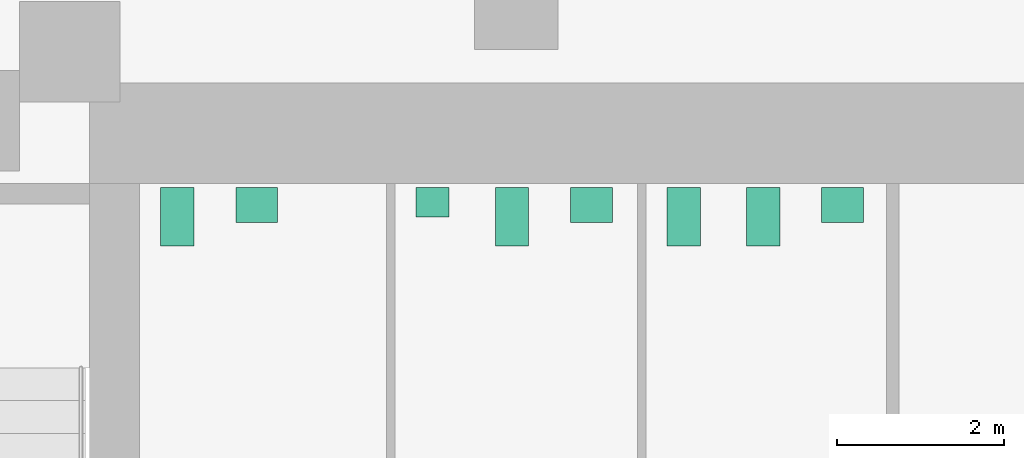
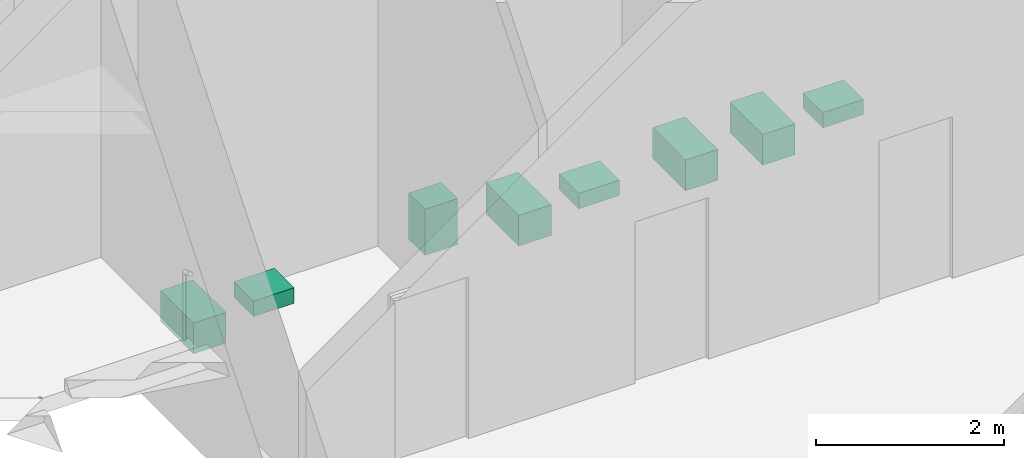
# One storey, part 19 of 19: 8 sanitary terminals.
"""IFC4 building model written with IfcOpenShell, lengths in metres."""

from ifc_helpers import new_model, si_unit, direction, frame, origin, origin_2d, place, context, subcontext, project, spatial, rectangle, extrude, material, type_object, element, save


model = new_model("IFC4")

# Units and contexts
model_context = context("Model", 3, precision=1e-05, world=origin(), true_north=direction((0.0, 1.0)))
body_context = subcontext(model_context, "Body", "Model", "MODEL_VIEW")
ifc_project = project(units=[si_unit("LENGTHUNIT", "METRE"), si_unit("AREAUNIT", "SQUARE_METRE"), si_unit("VOLUMEUNIT", "CUBIC_METRE"), si_unit("PLANEANGLEUNIT", "RADIAN"), si_unit("MASSUNIT", "GRAM", prefix="KILO")], contexts=[model_context])

# Site, building, storey
site_placement = place(None, origin())
site = spatial("IfcSite", under=ifc_project, at=site_placement, CompositionType="ELEMENT")
building_placement = place(site_placement, origin())
building = spatial("IfcBuilding", under=site, at=building_placement, Name="Cinnabar Reach Civic Tower", CompositionType="ELEMENT")
storey_placement = place(building_placement, frame((0.0, 0.0, -5.0)))
storey = spatial("IfcBuildingStorey", under=building, at=storey_placement, Name="B1", CompositionType="ELEMENT", Elevation=-5.0)

# Sanitary terminals
ifc_material = material(Name="Vitreous china")
sanitary_terminal_type_1 = type_object("IfcSanitaryTerminalType", Name="T1 WC pan", PredefinedType="TOILETPAN", material=ifc_material)
for number, where, z_axis, x_axis, name in (
    (1, (4.95, 41.6, 0.0), (0.0, 0.0, 1.0), (1.0, 0.0, 0.0), "T1 WC pan B107-1"),
    (2, (8.95, 41.6, 0.0), (0.0, 0.0, 1.0), (1.0, 0.0, 0.0), "T1 WC pan B108-2"),
    (3, (11.0, 41.6, 0.0), (0.0, 0.0, 1.0), (1.0, 0.0, 0.0), "T1 WC pan B109-1"),
    (4, (11.95, 41.6, 0.0), (0.0, 0.0, 1.0), (1.0, 0.0, 0.0), "T1 WC pan B109-2"),
):
    element("IfcSanitaryTerminal", number, at=place(storey_placement, frame(where, z_axis=z_axis, x_axis=x_axis)), inside=storey, type_object=sanitary_terminal_type_1, Name=name, PredefinedType="TOILETPAN", context=body_context, shape_type="SweptSolid", body=[
        extrude(rectangle(XDim=0.4, YDim=0.7, at=origin_2d()), origin(), (0.0, 0.0, 1.0), 0.4),
    ])
sanitary_terminal_type_2 = type_object("IfcSanitaryTerminalType", Name="T1 urinal", PredefinedType="URINAL", material=ifc_material)
sanitary_terminal_placement = place(storey_placement, frame((8.0, 41.775, 0.0), z_axis=(0.0, 0.0, 1.0), x_axis=(1.0, 0.0, 0.0)))
element("IfcSanitaryTerminal", 5, at=sanitary_terminal_placement, inside=storey, type_object=sanitary_terminal_type_2, Name="T1 urinal B108-1", PredefinedType="URINAL", context=body_context, shape_type="SweptSolid", body=[
    extrude(rectangle(XDim=0.4, YDim=0.35, at=origin_2d()), origin(), (0.0, 0.0, 1.0), 0.6),
])
sanitary_terminal_type_3 = type_object("IfcSanitaryTerminalType", Name="T1 wash basin", PredefinedType="WASHHANDBASIN", material=ifc_material)
for number, where, z_axis, x_axis, name in (
    (6, (5.9, 41.74, 0.0), (0.0, 0.0, 1.0), (1.0, 0.0, 0.0), "T1 wash basin B107-2"),
    (7, (9.9, 41.74, 0.0), (0.0, 0.0, 1.0), (1.0, 0.0, 0.0), "T1 wash basin B108-3"),
    (8, (12.9, 41.74, 0.0), (0.0, 0.0, 1.0), (1.0, 0.0, 0.0), "T1 wash basin B109-3"),
):
    element("IfcSanitaryTerminal", number, at=place(storey_placement, frame(where, z_axis=z_axis, x_axis=x_axis)), inside=storey, type_object=sanitary_terminal_type_3, Name=name, PredefinedType="WASHHANDBASIN", context=body_context, shape_type="SweptSolid", body=[
        extrude(rectangle(XDim=0.5, YDim=0.42, at=origin_2d()), origin(), (0.0, 0.0, 1.0), 0.2),
    ])

save(model, "model.ifc")
